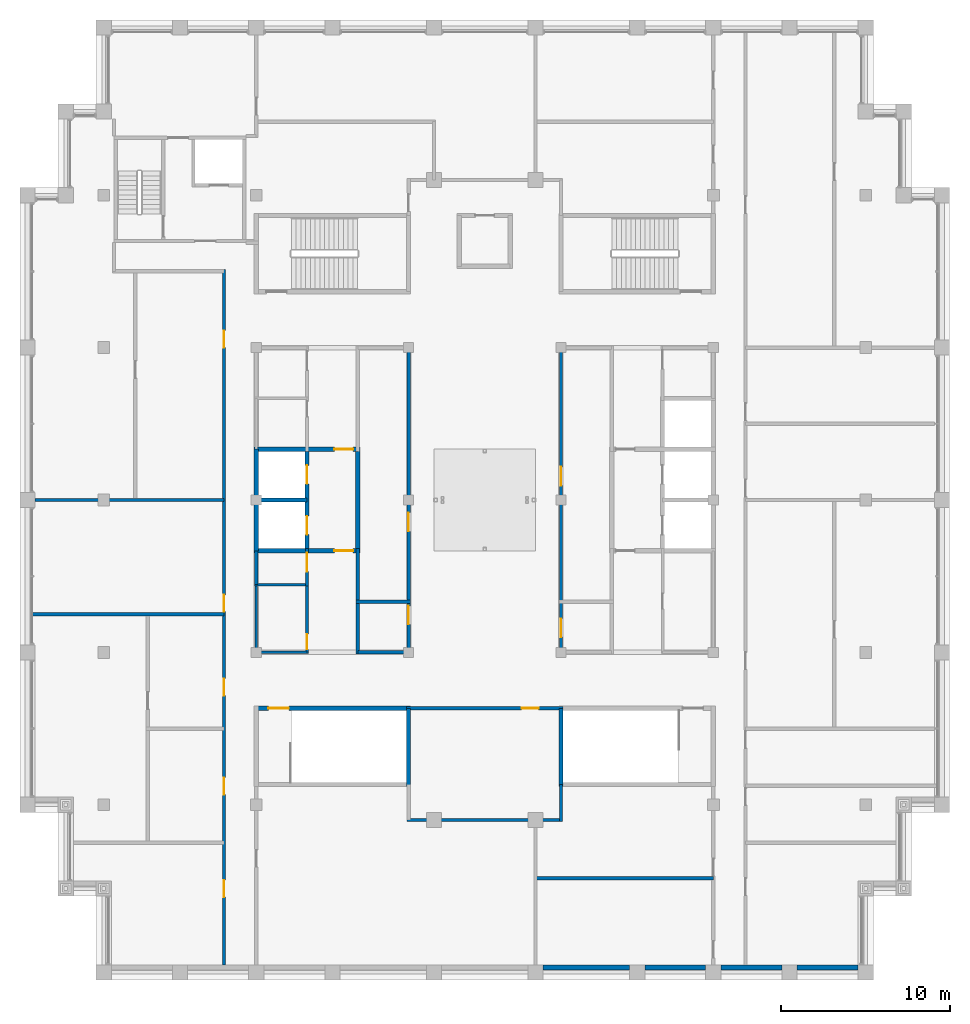
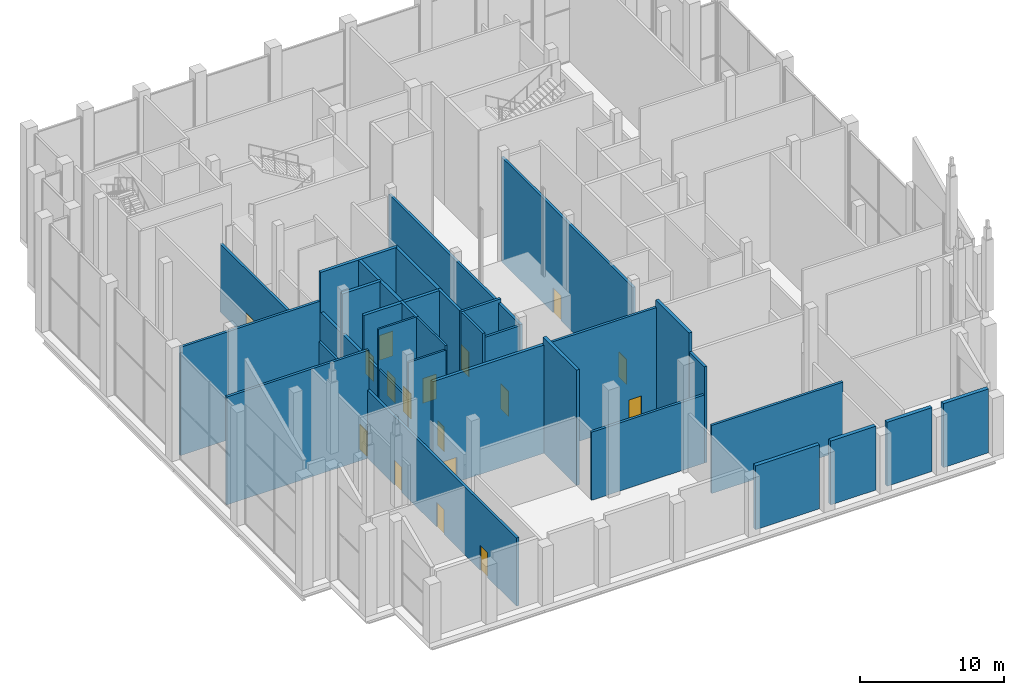
# One storey, part 12 of 16: 31 walls, 17 doors, 17 openings.
"""IFC4 building model written with IfcOpenShell, lengths in metres."""

from ifc_helpers import new_model, si_unit, direction, frame, frame_2d, origin, place, context, subcontext, project, spatial, rectangle, extrude, material, layer, layer_set, type_object, element, fill, save


model = new_model("IFC4")

# Units and contexts
model_context = context("Model", 3, precision=1e-05, world=origin(), true_north=direction((0.0, 1.0)))
body_context = subcontext(model_context, "Body", "Model", "MODEL_VIEW")
ifc_project = project(units=[si_unit("LENGTHUNIT", "METRE"), si_unit("AREAUNIT", "SQUARE_METRE"), si_unit("VOLUMEUNIT", "CUBIC_METRE"), si_unit("PLANEANGLEUNIT", "RADIAN"), si_unit("MASSUNIT", "GRAM", prefix="KILO")], contexts=[model_context])

# Site, building, storey
site_placement = place(None, origin())
site = spatial("IfcSite", under=ifc_project, at=site_placement, CompositionType="ELEMENT")
building_placement = place(site_placement, origin())
building = spatial("IfcBuilding", under=site, at=building_placement, Name="Corbelhall Arena Tower", CompositionType="ELEMENT")
storey_placement = place(building_placement, frame((0.0, 0.0, 366.0)))
storey = spatial("IfcBuildingStorey", under=building, at=storey_placement, Name="L80", CompositionType="ELEMENT", Elevation=366.0)

# Walls
ifc_material_1 = material(Name="Precast concrete C40/50 with granite facing", Category="masonry")
ifc_layer_1 = layer(ifc_material_1, 0.300048828125)
ifc_layer_set_1 = layer_set([ifc_layer_1], Name="EV-IW1 Infill panel 300")
wall_type_1 = type_object("IfcWallType", Name="EV-IW1 Infill panel 300", PredefinedType="SOLIDWALL", material=ifc_layer_set_1)
wall_1_placement = place(storey_placement, frame((3.449951171875, -27.60009765625, 0.0), z_axis=(0.0, 0.0, 1.0), x_axis=(1.0, 0.0, 0.0)))
element("IfcWall", 1, at=wall_1_placement, inside=storey, type_object=wall_type_1, Name="Infill panel IW1", PredefinedType="SOLIDWALL", context=body_context, shape_type="SweptSolid", body=[
    extrude(rectangle(XDim=5.10009765625, YDim=0.300048828125, at=frame_2d((2.550048828125, 0.0))), origin(), (0.0, 0.0, 1.0), 5.39990234375),
])
for number, where, z_axis, x_axis, name in (
    (2, (9.449951171875, -27.60009765625, 0.0), (0.0, 0.0, 1.0), (1.0, 0.0, 0.0), "Infill panel IW1"),
    (3, (13.949951171875, -27.60009765625, 0.0), (0.0, 0.0, 1.0), (1.0, 0.0, 0.0), "Infill panel IW1"),
    (4, (18.449951171875, -27.60009765625, 0.0), (0.0, 0.0, 1.0), (1.0, 0.0, 0.0), "Infill panel IW1"),
):
    element("IfcWall", number, at=place(storey_placement, frame(where, z_axis=z_axis, x_axis=x_axis)), inside=storey, type_object=wall_type_1, Name=name, PredefinedType="SOLIDWALL", context=body_context, shape_type="SweptSolid", body=[
        extrude(rectangle(XDim=3.60009765625, YDim=0.300048828125, at=frame_2d((1.800048828125, 0.0))), origin(), (0.0, 0.0, 1.0), 5.39990234375),
    ])
ifc_material_2 = material(Name="Gypsum board on steel stud, acoustic", Category="steel")
ifc_layer_2 = layer(ifc_material_2, 0.199951171875)
ifc_layer_set_2 = layer_set([ifc_layer_2], Name="IN-W-DM200")
wall_type_2 = type_object("IfcWallType", Name="IN-W-DM200", PredefinedType="PARTITIONING", material=ifc_layer_set_2)
wall_2_placement = place(storey_placement, frame((-26.736083984375, -6.75, 0.0), z_axis=(0.0, 0.0, 1.0), x_axis=(1.0, 0.0, 0.0)))
element("IfcWall", 5, at=wall_2_placement, inside=storey, type_object=wall_type_2, Name="Partition 001", PredefinedType="PARTITIONING", context=body_context, shape_type="SweptSolid", body=[
    extrude(rectangle(XDim=11.336181640625, YDim=0.199951171875, at=frame_2d((5.66796875, 0.0))), origin(), (0.0, 0.0, 1.0), 9.114501953125),
])
wall_3_placement = place(storey_placement, frame((-15.39990234375, 0.0, 0.0), z_axis=(0.0, 0.0, 1.0), x_axis=(-1.0, 0.0, 0.0)))
element("IfcWall", 6, at=wall_3_placement, inside=storey, type_object=wall_type_2, Name="Partition 006", PredefinedType="PARTITIONING", context=body_context, shape_type="SweptSolid", body=[
    extrude(rectangle(XDim=11.150146484375, YDim=0.199951171875, at=frame_2d((5.5751953125, 0.0))), origin(), (0.0, 0.0, 1.0), 9.149658203125),
])

# Wall, openings, doors
wall_4_placement = place(storey_placement, frame((-15.39990234375, -27.449951171875, 0.0), z_axis=(0.0, 0.0, 1.0), x_axis=(0.0, 1.0, 0.0)))
wall_4 = element("IfcWall", 7, at=wall_4_placement, inside=storey, type_object=wall_type_2, Name="Partition 010", PredefinedType="PARTITIONING", context=body_context, shape_type="SweptSolid", body=[
    extrude(rectangle(XDim=41.050048828125, YDim=0.199951171875, at=frame_2d((20.52490234375, 0.0))), origin(), (0.0, 0.0, 1.0), 5.759765625),
])
opening_1_placement = place(wall_4_placement, frame((36.449951171875, 0.0, 0.0)))
opening_1 = element("IfcOpeningElement", 8, at=opening_1_placement, cuts=wall_4, Name="Opening 34027", PredefinedType="OPENING", context=body_context, shape_type="SweptSolid", body=[
    extrude(rectangle(XDim=1.0, YDim=2.10009765625, at=frame_2d((0.5, 1.050048828125))), frame((0.0, 0.10009765625, 0.0), z_axis=(0.0, -1.0, 0.0), x_axis=(1.0, 0.0, 0.0)), (0.0, 0.0, 1.0), 0.199951171875),
])
opening_2_placement = place(wall_4_placement, frame((4.0, 0.0, 0.0)))
opening_2 = element("IfcOpeningElement", 9, at=opening_2_placement, cuts=wall_4, Name="Opening 34029", PredefinedType="OPENING", context=body_context, shape_type="SweptSolid", body=[
    extrude(rectangle(XDim=1.0, YDim=2.10009765625, at=frame_2d((0.5, 1.050048828125))), frame((0.0, 0.10009765625, 0.0), z_axis=(0.0, -1.0, 0.0), x_axis=(1.0, 0.0, 0.0)), (0.0, 0.0, 1.0), 0.199951171875),
])
opening_3_placement = place(wall_4_placement, frame((10.050048828125, 0.0, 0.0)))
opening_3 = element("IfcOpeningElement", 10, at=opening_3_placement, cuts=wall_4, Name="Opening 34030", PredefinedType="OPENING", context=body_context, shape_type="SweptSolid", body=[
    extrude(rectangle(XDim=1.0, YDim=2.10009765625, at=frame_2d((0.5, 1.050048828125))), frame((0.0, 0.10009765625, 0.0), z_axis=(0.0, -1.0, 0.0), x_axis=(1.0, 0.0, 0.0)), (0.0, 0.0, 1.0), 0.199951171875),
])
opening_4_placement = place(wall_4_placement, frame((15.89990234375, 0.0, 0.0)))
opening_4 = element("IfcOpeningElement", 11, at=opening_4_placement, cuts=wall_4, Name="Opening 34031", PredefinedType="OPENING", context=body_context, shape_type="SweptSolid", body=[
    extrude(rectangle(XDim=1.0, YDim=2.10009765625, at=frame_2d((0.5, 1.050048828125))), frame((0.0, 0.10009765625, 0.0), z_axis=(0.0, -1.0, 0.0), x_axis=(1.0, 0.0, 0.0)), (0.0, 0.0, 1.0), 0.199951171875),
])
opening_5_placement = place(wall_4_placement, frame((20.85009765625, 0.0, 0.0)))
opening_5 = element("IfcOpeningElement", 12, at=opening_5_placement, cuts=wall_4, Name="Opening 34033", PredefinedType="OPENING", context=body_context, shape_type="SweptSolid", body=[
    extrude(rectangle(XDim=1.0, YDim=2.10009765625, at=frame_2d((0.5, 1.050048828125))), frame((0.0, 0.10009765625, 0.0), z_axis=(0.0, -1.0, 0.0), x_axis=(1.0, 0.0, 0.0)), (0.0, 0.0, 1.0), 0.199951171875),
])
ifc_material_3 = material(Name="Steel door set", Category="steel")
door_type_1 = type_object("IfcDoorType", Name="IN-D-SW100", OperationType="NOTDEFINED", PredefinedType="DOOR", material=ifc_material_3)
door_1_placement = place(opening_1_placement, origin())
door_1 = element("IfcDoor", 13, at=door_1_placement, inside=storey, type_object=door_type_1, Name="Door 027", OperationType="SINGLE_SWING_RIGHT", OverallHeight=2.10009765625, OverallWidth=1.0, PredefinedType="DOOR", context=body_context, shape_type="SweptSolid", body=[
    extrude(rectangle(XDim=1.0, YDim=2.10009765625, at=frame_2d((0.5, 1.050048828125))), frame((0.0, 0.02490234375, 0.0), z_axis=(0.0, -1.0, 0.0), x_axis=(1.0, 0.0, 0.0)), (0.0, 0.0, 1.0), 0.050048828125),
])
fill(opening_1, door_1)
door_2_placement = place(opening_2_placement, origin())
door_2 = element("IfcDoor", 14, at=door_2_placement, inside=storey, type_object=door_type_1, Name="Door 029", OperationType="SINGLE_SWING_RIGHT", OverallHeight=2.10009765625, OverallWidth=1.0, PredefinedType="DOOR", context=body_context, shape_type="SweptSolid", body=[
    extrude(rectangle(XDim=1.0, YDim=2.10009765625, at=frame_2d((0.5, 1.050048828125))), frame((0.0, 0.02490234375, 0.0), z_axis=(0.0, -1.0, 0.0), x_axis=(1.0, 0.0, 0.0)), (0.0, 0.0, 1.0), 0.050048828125),
])
fill(opening_2, door_2)
door_3_placement = place(opening_3_placement, origin())
door_3 = element("IfcDoor", 15, at=door_3_placement, inside=storey, type_object=door_type_1, Name="Door 030", OperationType="SINGLE_SWING_LEFT", OverallHeight=2.10009765625, OverallWidth=1.0, PredefinedType="DOOR", context=body_context, shape_type="SweptSolid", body=[
    extrude(rectangle(XDim=1.0, YDim=2.10009765625, at=frame_2d((0.5, 1.050048828125))), frame((0.0, 0.02490234375, 0.0), z_axis=(0.0, -1.0, 0.0), x_axis=(1.0, 0.0, 0.0)), (0.0, 0.0, 1.0), 0.050048828125),
])
fill(opening_3, door_3)
door_4_placement = place(opening_4_placement, origin())
door_4 = element("IfcDoor", 16, at=door_4_placement, inside=storey, type_object=door_type_1, Name="Door 031", OperationType="SINGLE_SWING_RIGHT", OverallHeight=2.10009765625, OverallWidth=1.0, PredefinedType="DOOR", context=body_context, shape_type="SweptSolid", body=[
    extrude(rectangle(XDim=1.0, YDim=2.10009765625, at=frame_2d((0.5, 1.050048828125))), frame((0.0, 0.02490234375, 0.0), z_axis=(0.0, -1.0, 0.0), x_axis=(1.0, 0.0, 0.0)), (0.0, 0.0, 1.0), 0.050048828125),
])
fill(opening_4, door_4)
door_5_placement = place(opening_5_placement, origin())
door_5 = element("IfcDoor", 17, at=door_5_placement, inside=storey, type_object=door_type_1, Name="Door 033", OperationType="SINGLE_SWING_RIGHT", OverallHeight=2.10009765625, OverallWidth=1.0, PredefinedType="DOOR", context=body_context, shape_type="SweptSolid", body=[
    extrude(rectangle(XDim=1.0, YDim=2.10009765625, at=frame_2d((0.5, 1.050048828125))), frame((0.0, 0.02490234375, 0.0), z_axis=(0.0, -1.0, 0.0), x_axis=(1.0, 0.0, 0.0)), (0.0, 0.0, 1.0), 0.050048828125),
])
fill(opening_5, door_5)

# Walls
wall_5_placement = place(storey_placement, frame((4.5, -18.89990234375, 0.0), z_axis=(0.0, 0.0, 1.0), x_axis=(-1.0, 0.0, 0.0)))
element("IfcWall", 18, at=wall_5_placement, inside=storey, type_object=wall_type_2, Name="Partition 019", PredefinedType="PARTITIONING", context=body_context, shape_type="SweptSolid", body=[
    extrude(rectangle(XDim=9.10009765625, YDim=0.199951171875, at=frame_2d((4.550048828125, 0.0))), origin(), (0.0, 0.0, 1.0), 5.759765625),
])
wall_6_placement = place(storey_placement, frame((3.0, -22.35009765625, 0.0), z_axis=(0.0, 0.0, 1.0), x_axis=(1.0, 0.0, 0.0)))
element("IfcWall", 19, at=wall_6_placement, inside=storey, type_object=wall_type_2, Name="Partition 021", PredefinedType="PARTITIONING", context=body_context, shape_type="SweptSolid", body=[
    extrude(rectangle(XDim=10.5, YDim=0.199951171875, at=frame_2d((5.25, 0.0))), origin(), (0.0, 0.0, 1.0), 5.759765625),
])
wall_7_placement = place(storey_placement, frame((4.5, -16.800048828125, 0.0), z_axis=(0.0, 0.0, 1.0), x_axis=(0.0, -1.0, 0.0)))
element("IfcWall", 20, at=wall_7_placement, inside=storey, type_object=wall_type_2, Name="Partition 025", PredefinedType="PARTITIONING", context=body_context, shape_type="SweptSolid", body=[
    extrude(rectangle(XDim=2.199951171875, YDim=0.199951171875, at=frame_2d((1.10009765625, 0.0))), origin(), (0.0, 0.0, 1.0), 8.135986328125),
])

# Wall, opening, door
wall_8_placement = place(storey_placement, frame((4.625, -12.300048828125, 0.0), z_axis=(0.0, 0.0, 1.0), x_axis=(-1.0, 0.0, 0.0)))
wall_8 = element("IfcWall", 21, at=wall_8_placement, inside=storey, type_object=wall_type_2, Name="Partition 027", PredefinedType="PARTITIONING", context=body_context, shape_type="SweptSolid", body=[
    extrude(rectangle(XDim=9.25, YDim=0.199951171875, at=frame_2d((4.625, 0.0))), origin(), (0.0, 0.0, 1.0), 9.149658203125),
])
opening_6_placement = place(wall_8_placement, frame((1.449951171875, 0.0, 0.0)))
opening_6 = element("IfcOpeningElement", 22, at=opening_6_placement, cuts=wall_8, Name="Opening 34019", PredefinedType="OPENING", context=body_context, shape_type="SweptSolid", body=[
    extrude(rectangle(XDim=1.0, YDim=2.10009765625, at=frame_2d((0.5, 1.050048828125))), frame((0.0, 0.10009765625, 0.0), z_axis=(0.0, -1.0, 0.0), x_axis=(1.0, 0.0, 0.0)), (0.0, 0.0, 1.0), 0.199951171875),
])
door_6_placement = place(opening_6_placement, origin())
door_6 = element("IfcDoor", 23, at=door_6_placement, inside=storey, type_object=door_type_1, Name="Door 019", OperationType="SINGLE_SWING_RIGHT", OverallHeight=2.10009765625, OverallWidth=1.0, PredefinedType="DOOR", context=body_context, shape_type="SweptSolid", body=[
    extrude(rectangle(XDim=1.0, YDim=2.10009765625, at=frame_2d((0.5, 1.050048828125))), frame((0.0, 0.02490234375, 0.0), z_axis=(0.0, -1.0, 0.0), x_axis=(1.0, 0.0, 0.0)), (0.0, 0.0, 1.0), 0.050048828125),
])
fill(opening_6, door_6)

# Wall
ifc_material_4 = material(Name="Concrete block wall", Category="concrete")
ifc_layer_3 = layer(ifc_material_4, 0.199951171875)
ifc_layer_set_3 = layer_set([ifc_layer_3], Name="IN-W-RS200")
wall_type_3 = type_object("IfcWallType", Name="IN-W-RS200", PredefinedType="SOLIDWALL", material=ifc_layer_set_3)
wall_9_placement = place(storey_placement, frame((-13.5, -5.0, 0.0), z_axis=(0.0, 0.0, 1.0), x_axis=(0.0, 1.0, 0.0)))
element("IfcWall", 24, at=wall_9_placement, inside=storey, type_object=wall_type_3, Name="Partition 039", PredefinedType="SOLIDWALL", context=body_context, shape_type="SweptSolid", body=[
    extrude(rectangle(XDim=2.0, YDim=0.199951171875, at=frame_2d((1.0, 0.0))), origin(), (0.0, 0.0, 1.0), 5.759765625),
])

# Wall, opening, door
wall_10_placement = place(storey_placement, frame((-10.5, -5.074951171875, 0.0), z_axis=(0.0, 0.0, 1.0), x_axis=(0.0, 1.0, 0.0)))
wall_10 = element("IfcWall", 25, at=wall_10_placement, inside=storey, type_object=wall_type_3, Name="Partition 042", PredefinedType="SOLIDWALL", context=body_context, shape_type="SweptSolid", body=[
    extrude(rectangle(XDim=2.199951171875, YDim=0.199951171875, at=frame_2d((1.10009765625, 0.0))), origin(), (0.0, 0.0, 1.0), 9.149658203125),
])
opening_7_placement = place(wall_10_placement, frame((0.85009765625, 0.0, 0.0)))
opening_7 = element("IfcOpeningElement", 26, at=opening_7_placement, cuts=wall_10, Name="Opening 34006", PredefinedType="OPENING", context=body_context, shape_type="SweptSolid", body=[
    extrude(rectangle(XDim=1.10009765625, YDim=2.10009765625, at=frame_2d((0.550048828125, 1.050048828125))), frame((0.0, 0.10009765625, 0.0), z_axis=(0.0, -1.0, 0.0), x_axis=(1.0, 0.0, 0.0)), (0.0, 0.0, 1.0), 0.199951171875),
])
door_type_2 = type_object("IfcDoorType", Name="IN-D-FD110", OperationType="NOTDEFINED", PredefinedType="DOOR", material=ifc_material_3)
door_7_placement = place(opening_7_placement, origin())
door_7 = element("IfcDoor", 27, at=door_7_placement, inside=storey, type_object=door_type_2, Name="Door 006", OperationType="SINGLE_SWING_LEFT", OverallHeight=2.10009765625, OverallWidth=1.10009765625, PredefinedType="DOOR", context=body_context, shape_type="SweptSolid", body=[
    extrude(rectangle(XDim=1.10009765625, YDim=2.10009765625, at=frame_2d((0.550048828125, 1.050048828125))), frame((0.0, 0.02490234375, 0.0), z_axis=(0.0, -1.0, 0.0), x_axis=(1.0, 0.0, 0.0)), (0.0, 0.0, 1.0), 0.050048828125),
])
fill(opening_7, door_7)

# Walls
wall_11_placement = place(storey_placement, frame((-7.60009765625, -6.0, 0.0), z_axis=(0.0, 0.0, 1.0), x_axis=(1.0, 0.0, 0.0)))
element("IfcWall", 28, at=wall_11_placement, inside=storey, type_object=wall_type_3, Name="Partition 044", PredefinedType="SOLIDWALL", context=body_context, shape_type="SweptSolid", body=[
    extrude(rectangle(XDim=3.2001953125, YDim=0.199951171875, at=frame_2d((1.60009765625, 0.0))), origin(), (0.0, 0.0, 1.0), 9.149658203125),
])
wall_12_placement = place(storey_placement, frame((-7.5, -9.10009765625, 0.0), z_axis=(0.0, 0.0, 1.0), x_axis=(0.0, 1.0, 0.0)))
element("IfcWall", 29, at=wall_12_placement, inside=storey, type_object=wall_type_3, Name="Partition 045", PredefinedType="SOLIDWALL", context=body_context, shape_type="SweptSolid", body=[
    extrude(rectangle(XDim=6.22509765625, YDim=0.199951171875, at=frame_2d((3.112548828125, 0.0))), origin(), (0.0, 0.0, 1.0), 9.149658203125),
])

# Wall, openings, doors
ifc_layer_4 = layer(ifc_material_4, 0.199951171875)
ifc_layer_set_4 = layer_set([ifc_layer_4], Name="IN-W-RS200 under beam 312 mm")
wall_type_4 = type_object("IfcWallType", Name="IN-W-RS200 under beam 312 mm", PredefinedType="SOLIDWALL", material=ifc_layer_set_4)
wall_13_placement = place(storey_placement, frame((-4.5, 9.10009765625, 0.0), z_axis=(0.0, 0.0, 1.0), x_axis=(0.0, -1.0, 0.0)))
wall_13 = element("IfcWall", 30, at=wall_13_placement, inside=storey, type_object=wall_type_4, Name="Partition 049", PredefinedType="SOLIDWALL", context=body_context, shape_type="SweptSolid", body=[
    extrude(rectangle(XDim=18.2001953125, YDim=0.199951171875, at=frame_2d((9.10009765625, 0.0))), origin(), (0.0, 0.0, 1.0), 8.837646484375),
])
opening_8_placement = place(wall_13_placement, frame((15.35009765625, 0.0, 0.0)))
opening_8 = element("IfcOpeningElement", 31, at=opening_8_placement, cuts=wall_13, Name="Opening 34001", PredefinedType="OPENING", context=body_context, shape_type="SweptSolid", body=[
    extrude(rectangle(XDim=1.10009765625, YDim=2.10009765625, at=frame_2d((0.550048828125, 1.050048828125))), frame((0.0, 0.10009765625, 0.0), z_axis=(0.0, -1.0, 0.0), x_axis=(1.0, 0.0, 0.0)), (0.0, 0.0, 1.0), 0.199951171875),
])
opening_9_placement = place(wall_13_placement, frame((9.85009765625, 0.0, 0.0)))
opening_9 = element("IfcOpeningElement", 32, at=opening_9_placement, cuts=wall_13, Name="Opening 34002", PredefinedType="OPENING", context=body_context, shape_type="SweptSolid", body=[
    extrude(rectangle(XDim=1.10009765625, YDim=2.10009765625, at=frame_2d((0.550048828125, 1.050048828125))), frame((0.0, 0.10009765625, 0.0), z_axis=(0.0, -1.0, 0.0), x_axis=(1.0, 0.0, 0.0)), (0.0, 0.0, 1.0), 0.199951171875),
])
door_8_placement = place(opening_8_placement, origin())
door_8 = element("IfcDoor", 33, at=door_8_placement, inside=storey, type_object=door_type_2, Name="Door 001", OperationType="SINGLE_SWING_RIGHT", OverallHeight=2.10009765625, OverallWidth=1.10009765625, PredefinedType="DOOR", context=body_context, shape_type="SweptSolid", body=[
    extrude(rectangle(XDim=1.10009765625, YDim=2.10009765625, at=frame_2d((0.550048828125, 1.050048828125))), frame((0.0, 0.02490234375, 0.0), z_axis=(0.0, -1.0, 0.0), x_axis=(1.0, 0.0, 0.0)), (0.0, 0.0, 1.0), 0.050048828125),
])
fill(opening_8, door_8)
door_9_placement = place(opening_9_placement, origin())
door_9 = element("IfcDoor", 34, at=door_9_placement, inside=storey, type_object=door_type_2, Name="Door 002", OperationType="SINGLE_SWING_LEFT", OverallHeight=2.10009765625, OverallWidth=1.10009765625, PredefinedType="DOOR", context=body_context, shape_type="SweptSolid", body=[
    extrude(rectangle(XDim=1.10009765625, YDim=2.10009765625, at=frame_2d((0.550048828125, 1.050048828125))), frame((0.0, 0.02490234375, 0.0), z_axis=(0.0, -1.0, 0.0), x_axis=(1.0, 0.0, 0.0)), (0.0, 0.0, 1.0), 0.050048828125),
])
fill(opening_9, door_9)

wall_14_placement = place(storey_placement, frame((4.5, -9.10009765625, 0.0), z_axis=(0.0, 0.0, 1.0), x_axis=(0.0, 1.0, 0.0)))
wall_14 = element("IfcWall", 35, at=wall_14_placement, inside=storey, type_object=wall_type_4, Name="Partition 051", PredefinedType="SOLIDWALL", context=body_context, shape_type="SweptSolid", body=[
    extrude(rectangle(XDim=18.2001953125, YDim=0.199951171875, at=frame_2d((9.10009765625, 0.0))), origin(), (0.0, 0.0, 1.0), 8.837646484375),
])
opening_10_placement = place(wall_14_placement, frame((1.0, 0.0, 0.0)))
opening_10 = element("IfcOpeningElement", 36, at=opening_10_placement, cuts=wall_14, Name="Opening 34009", PredefinedType="OPENING", context=body_context, shape_type="SweptSolid", body=[
    extrude(rectangle(XDim=1.10009765625, YDim=2.10009765625, at=frame_2d((0.550048828125, 1.050048828125))), frame((0.0, 0.10009765625, 0.0), z_axis=(0.0, -1.0, 0.0), x_axis=(1.0, 0.0, 0.0)), (0.0, 0.0, 1.0), 0.199951171875),
])
opening_11_placement = place(wall_14_placement, frame((9.949951171875, 0.0, 0.0)))
opening_11 = element("IfcOpeningElement", 37, at=opening_11_placement, cuts=wall_14, Name="Opening 34010", PredefinedType="OPENING", context=body_context, shape_type="SweptSolid", body=[
    extrude(rectangle(XDim=1.10009765625, YDim=2.10009765625, at=frame_2d((0.550048828125, 1.050048828125))), frame((0.0, 0.10009765625, 0.0), z_axis=(0.0, -1.0, 0.0), x_axis=(1.0, 0.0, 0.0)), (0.0, 0.0, 1.0), 0.199951171875),
])
door_10_placement = place(opening_10_placement, origin())
door_10 = element("IfcDoor", 38, at=door_10_placement, inside=storey, type_object=door_type_2, Name="Door 009", OperationType="SINGLE_SWING_RIGHT", OverallHeight=2.10009765625, OverallWidth=1.10009765625, PredefinedType="DOOR", context=body_context, shape_type="SweptSolid", body=[
    extrude(rectangle(XDim=1.10009765625, YDim=2.10009765625, at=frame_2d((0.550048828125, 1.050048828125))), frame((0.0, 0.02490234375, 0.0), z_axis=(0.0, -1.0, 0.0), x_axis=(1.0, 0.0, 0.0)), (0.0, 0.0, 1.0), 0.050048828125),
])
fill(opening_10, door_10)
door_11_placement = place(opening_11_placement, origin())
door_11 = element("IfcDoor", 39, at=door_11_placement, inside=storey, type_object=door_type_2, Name="Door 010", OperationType="SINGLE_SWING_LEFT", OverallHeight=2.10009765625, OverallWidth=1.10009765625, PredefinedType="DOOR", context=body_context, shape_type="SweptSolid", body=[
    extrude(rectangle(XDim=1.10009765625, YDim=2.10009765625, at=frame_2d((0.550048828125, 1.050048828125))), frame((0.0, 0.02490234375, 0.0), z_axis=(0.0, -1.0, 0.0), x_axis=(1.0, 0.0, 0.0)), (0.0, 0.0, 1.0), 0.050048828125),
])
fill(opening_11, door_11)

# Walls
ifc_layer_5 = layer(ifc_material_4, 0.199951171875)
ifc_layer_set_5 = layer_set([ifc_layer_5], Name="IN-W-RS200 under beam 396 mm")
wall_type_5 = type_object("IfcWallType", Name="IN-W-RS200 under beam 396 mm", PredefinedType="SOLIDWALL", material=ifc_layer_set_5)
wall_15_placement = place(storey_placement, frame((-4.5, -9.0, 0.0), z_axis=(0.0, 0.0, 1.0), x_axis=(-1.0, 0.0, 0.0)))
element("IfcWall", 40, at=wall_15_placement, inside=storey, type_object=wall_type_5, Name="Partition 048", PredefinedType="SOLIDWALL", context=body_context, shape_type="SweptSolid", body=[
    extrude(rectangle(XDim=3.0, YDim=0.199951171875, at=frame_2d((1.5, 0.0))), origin(), (0.0, 0.0, 1.0), 8.75390625),
])
ifc_material_5 = material(Name="Concrete C40/50", Category="concrete")
ifc_layer_6 = layer(ifc_material_5, 0.25)
ifc_layer_set_6 = layer_set([ifc_layer_6], Name="IN-W-SH250")
wall_type_6 = type_object("IfcWallType", Name="IN-W-SH250", PredefinedType="SOLIDWALL", material=ifc_layer_set_6)
wall_16_placement = place(storey_placement, frame((-13.625, 0.0, 0.0), z_axis=(0.0, 0.0, 1.0), x_axis=(1.0, 0.0, 0.0)))
element("IfcWall", 41, at=wall_16_placement, inside=storey, type_object=wall_type_6, Name="Shaft wall 059", PredefinedType="SOLIDWALL", context=body_context, shape_type="SweptSolid", body=[
    extrude(rectangle(XDim=3.125, YDim=0.25, at=frame_2d((1.5625, 0.0))), origin(), (0.0, 0.0, 1.0), 9.149658203125),
])

# Wall, opening, door
wall_17_placement = place(storey_placement, frame((-13.625, 3.0, 0.0), z_axis=(0.0, 0.0, 1.0), x_axis=(1.0, 0.0, 0.0)))
wall_17 = element("IfcWall", 42, at=wall_17_placement, inside=storey, type_object=wall_type_6, Name="Shaft wall 060", PredefinedType="SOLIDWALL", context=body_context, shape_type="SweptSolid", body=[
    extrude(rectangle(XDim=6.125, YDim=0.25, at=frame_2d((3.0625, 0.0))), origin(), (0.0, 0.0, 1.0), 9.149658203125),
])
opening_12_placement = place(wall_17_placement, frame((4.75, 0.0, 0.0)))
opening_12 = element("IfcOpeningElement", 43, at=opening_12_placement, cuts=wall_17, Name="Opening 34004", PredefinedType="OPENING", context=body_context, shape_type="SweptSolid", body=[
    extrude(rectangle(XDim=1.10009765625, YDim=2.10009765625, at=frame_2d((0.550048828125, 1.050048828125))), frame((0.0, 0.125, 0.0), z_axis=(0.0, -1.0, 0.0), x_axis=(1.0, 0.0, 0.0)), (0.0, 0.0, 1.0), 0.25),
])
door_12_placement = place(opening_12_placement, origin())
door_12 = element("IfcDoor", 44, at=door_12_placement, inside=storey, type_object=door_type_2, Name="Door 004", OperationType="SINGLE_SWING_LEFT", OverallHeight=2.10009765625, OverallWidth=1.10009765625, PredefinedType="DOOR", context=body_context, shape_type="SweptSolid", body=[
    extrude(rectangle(XDim=1.10009765625, YDim=2.10009765625, at=frame_2d((0.550048828125, 1.050048828125))), frame((0.0, 0.02490234375, 0.0), z_axis=(0.0, -1.0, 0.0), x_axis=(1.0, 0.0, 0.0)), (0.0, 0.0, 1.0), 0.050048828125),
])
fill(opening_12, door_12)

# Wall
wall_18_placement = place(storey_placement, frame((-13.5, -3.0, 0.0), z_axis=(0.0, 0.0, 1.0), x_axis=(0.0, 1.0, 0.0)))
element("IfcWall", 45, at=wall_18_placement, inside=storey, type_object=wall_type_6, Name="Shaft wall 061", PredefinedType="SOLIDWALL", context=body_context, shape_type="SweptSolid", body=[
    extrude(rectangle(XDim=6.0, YDim=0.25, at=frame_2d((3.0, 0.0))), origin(), (0.0, 0.0, 1.0), 5.759765625),
])

# Wall, opening, door
wall_19_placement = place(storey_placement, frame((-13.625, -3.0, 0.0), z_axis=(0.0, 0.0, 1.0), x_axis=(1.0, 0.0, 0.0)))
wall_19 = element("IfcWall", 46, at=wall_19_placement, inside=storey, type_object=wall_type_6, Name="Shaft wall 062", PredefinedType="SOLIDWALL", context=body_context, shape_type="SweptSolid", body=[
    extrude(rectangle(XDim=6.125, YDim=0.25, at=frame_2d((3.0625, 0.0))), origin(), (0.0, 0.0, 1.0), 9.149658203125),
])
opening_13_placement = place(wall_19_placement, frame((4.75, 0.0, 0.0)))
opening_13 = element("IfcOpeningElement", 47, at=opening_13_placement, cuts=wall_19, Name="Opening 34003", PredefinedType="OPENING", context=body_context, shape_type="SweptSolid", body=[
    extrude(rectangle(XDim=1.10009765625, YDim=2.10009765625, at=frame_2d((0.550048828125, 1.050048828125))), frame((0.0, 0.125, 0.0), z_axis=(0.0, -1.0, 0.0), x_axis=(1.0, 0.0, 0.0)), (0.0, 0.0, 1.0), 0.25),
])
door_13_placement = place(opening_13_placement, origin())
door_13 = element("IfcDoor", 48, at=door_13_placement, inside=storey, type_object=door_type_2, Name="Door 003", OperationType="SINGLE_SWING_RIGHT", OverallHeight=2.10009765625, OverallWidth=1.10009765625, PredefinedType="DOOR", context=body_context, shape_type="SweptSolid", body=[
    extrude(rectangle(XDim=1.10009765625, YDim=2.10009765625, at=frame_2d((0.550048828125, 1.050048828125))), frame((0.0, 0.02490234375, 0.0), z_axis=(0.0, -1.0, 0.0), x_axis=(1.0, 0.0, 0.0)), (0.0, 0.0, 1.0), 0.050048828125),
])
fill(opening_13, door_13)

# Wall, openings, doors
wall_20_placement = place(storey_placement, frame((-10.5, -3.125, 0.0), z_axis=(0.0, 0.0, 1.0), x_axis=(0.0, 1.0, 0.0)))
wall_20 = element("IfcWall", 49, at=wall_20_placement, inside=storey, type_object=wall_type_6, Name="Shaft wall 063", PredefinedType="SOLIDWALL", context=body_context, shape_type="SweptSolid", body=[
    extrude(rectangle(XDim=6.25, YDim=0.25, at=frame_2d((3.125, 0.0))), origin(), (0.0, 0.0, 1.0), 9.149658203125),
])
opening_14_placement = place(wall_20_placement, frame((1.074951171875, 0.0, 0.0)))
opening_14 = element("IfcOpeningElement", 50, at=opening_14_placement, cuts=wall_20, Name="Opening LD", PredefinedType="OPENING", context=body_context, shape_type="SweptSolid", body=[
    extrude(rectangle(XDim=1.10009765625, YDim=2.10009765625, at=frame_2d((0.550048828125, 1.050048828125))), frame((0.0, 0.125, 0.0), z_axis=(0.0, -1.0, 0.0), x_axis=(1.0, 0.0, 0.0)), (0.0, 0.0, 1.0), 0.25),
])
opening_15_placement = place(wall_20_placement, frame((4.074951171875, 0.0, 0.0)))
opening_15 = element("IfcOpeningElement", 51, at=opening_15_placement, cuts=wall_20, Name="Opening LD", PredefinedType="OPENING", context=body_context, shape_type="SweptSolid", body=[
    extrude(rectangle(XDim=1.10009765625, YDim=2.10009765625, at=frame_2d((0.550048828125, 1.050048828125))), frame((0.0, 0.125, 0.0), z_axis=(0.0, -1.0, 0.0), x_axis=(1.0, 0.0, 0.0)), (0.0, 0.0, 1.0), 0.25),
])
door_type_3 = type_object("IfcDoorType", Name="IN-D-LD110", OperationType="NOTDEFINED", PredefinedType="DOOR", material=ifc_material_3)
door_14_placement = place(opening_14_placement, origin())
door_14 = element("IfcDoor", 52, at=door_14_placement, inside=storey, type_object=door_type_3, Name="Landing door W3", OperationType="SLIDING_TO_LEFT", OverallHeight=2.10009765625, OverallWidth=1.10009765625, PredefinedType="DOOR", context=body_context, shape_type="SweptSolid", body=[
    extrude(rectangle(XDim=1.10009765625, YDim=2.10009765625, at=frame_2d((0.550048828125, 1.050048828125))), frame((0.0, 0.02490234375, 0.0), z_axis=(0.0, -1.0, 0.0), x_axis=(1.0, 0.0, 0.0)), (0.0, 0.0, 1.0), 0.050048828125),
])
fill(opening_14, door_14)
door_15_placement = place(opening_15_placement, origin())
door_15 = element("IfcDoor", 53, at=door_15_placement, inside=storey, type_object=door_type_3, Name="Landing door W4", OperationType="SLIDING_TO_LEFT", OverallHeight=2.10009765625, OverallWidth=1.10009765625, PredefinedType="DOOR", context=body_context, shape_type="SweptSolid", body=[
    extrude(rectangle(XDim=1.10009765625, YDim=2.10009765625, at=frame_2d((0.550048828125, 1.050048828125))), frame((0.0, 0.02490234375, 0.0), z_axis=(0.0, -1.0, 0.0), x_axis=(1.0, 0.0, 0.0)), (0.0, 0.0, 1.0), 0.050048828125),
])
fill(opening_15, door_15)

# Walls
wall_21_placement = place(storey_placement, frame((-7.5, -3.125, 0.0), z_axis=(0.0, 0.0, 1.0), x_axis=(0.0, 1.0, 0.0)))
element("IfcWall", 54, at=wall_21_placement, inside=storey, type_object=wall_type_6, Name="Shaft wall 064", PredefinedType="SOLIDWALL", context=body_context, shape_type="SweptSolid", body=[
    extrude(rectangle(XDim=6.25, YDim=0.25, at=frame_2d((3.125, 0.0))), origin(), (0.0, 0.0, 1.0), 9.149658203125),
])
ifc_layer_7 = layer(ifc_material_5, 0.25)
ifc_layer_set_7 = layer_set([ifc_layer_7], Name="IN-W-ST250")
wall_type_7 = type_object("IfcWallType", Name="IN-W-ST250", PredefinedType="SOLIDWALL", material=ifc_layer_set_7)
wall_22_placement = place(storey_placement, frame((-4.5, -12.300048828125, 0.0), z_axis=(0.0, 0.0, 1.0), x_axis=(0.0, -1.0, 0.0)))
element("IfcWall", 55, at=wall_22_placement, inside=storey, type_object=wall_type_7, Name="Shaft wall 080", PredefinedType="SOLIDWALL", context=body_context, shape_type="SweptSolid", body=[
    extrude(rectangle(XDim=4.625, YDim=0.25, at=frame_2d((2.3125, 0.0))), origin(), (0.0, 0.0, 1.0), 9.74365234375),
])

# Wall, opening, door
wall_23_placement = place(storey_placement, frame((-4.375, -12.300048828125, 0.0), z_axis=(0.0, 0.0, 1.0), x_axis=(-1.0, 0.0, 0.0)))
wall_23 = element("IfcWall", 56, at=wall_23_placement, inside=storey, type_object=wall_type_7, Name="Shaft wall 083", PredefinedType="SOLIDWALL", context=body_context, shape_type="SweptSolid", body=[
    extrude(rectangle(XDim=9.125, YDim=0.25, at=frame_2d((4.5625, 0.0))), origin(), (0.0, 0.0, 1.0), 9.149658203125),
])
opening_16_placement = place(wall_23_placement, frame((7.199951171875, 0.0, 0.0)))
opening_16 = element("IfcOpeningElement", 57, at=opening_16_placement, cuts=wall_23, Name="Opening 34016", PredefinedType="OPENING", context=body_context, shape_type="SweptSolid", body=[
    extrude(rectangle(XDim=1.199951171875, YDim=2.10009765625, at=frame_2d((0.60009765625, 1.050048828125))), frame((0.0, 0.125, 0.0), z_axis=(0.0, -1.0, 0.0), x_axis=(1.0, 0.0, 0.0)), (0.0, 0.0, 1.0), 0.25),
])
door_type_4 = type_object("IfcDoorType", Name="IN-D-ST120", OperationType="NOTDEFINED", PredefinedType="DOOR", material=ifc_material_3)
door_16_placement = place(opening_16_placement, origin())
door_16 = element("IfcDoor", 58, at=door_16_placement, inside=storey, type_object=door_type_4, Name="Door 016", OperationType="SINGLE_SWING_LEFT", OverallHeight=2.10009765625, OverallWidth=1.199951171875, PredefinedType="DOOR", context=body_context, shape_type="SweptSolid", body=[
    extrude(rectangle(XDim=1.199951171875, YDim=2.10009765625, at=frame_2d((0.60009765625, 1.050048828125))), frame((0.0, 0.02490234375, 0.0), z_axis=(0.0, -1.0, 0.0), x_axis=(1.0, 0.0, 0.0)), (0.0, 0.0, 1.0), 0.050048828125),
])
fill(opening_16, door_16)

# Walls
wall_24_placement = place(storey_placement, frame((4.5, -16.925048828125, 0.0), z_axis=(0.0, 0.0, 1.0), x_axis=(0.0, 1.0, 0.0)))
element("IfcWall", 59, at=wall_24_placement, inside=storey, type_object=wall_type_7, Name="Shaft wall 086", PredefinedType="SOLIDWALL", context=body_context, shape_type="SweptSolid", body=[
    extrude(rectangle(XDim=4.625, YDim=0.25, at=frame_2d((2.3125, 0.0))), origin(), (0.0, 0.0, 1.0), 9.74365234375),
])
ifc_material_6 = material(Name="Gypsum board on steel stud, moisture resistant", Category="steel")
ifc_layer_8 = layer(ifc_material_6, 0.14990234375)
ifc_layer_set_8 = layer_set([ifc_layer_8], Name="IN-W-WC150")
wall_type_8 = type_object("IfcWallType", Name="IN-W-WC150", PredefinedType="PARTITIONING", material=ifc_layer_set_8)
wall_25_placement = place(storey_placement, frame((-13.60009765625, -5.0, 0.0), z_axis=(0.0, 0.0, 1.0), x_axis=(1.0, 0.0, 0.0)))
element("IfcWall", 60, at=wall_25_placement, inside=storey, type_object=wall_type_8, Name="Partition 092", PredefinedType="PARTITIONING", context=body_context, shape_type="SweptSolid", body=[
    extrude(rectangle(XDim=3.10009765625, YDim=0.14990234375, at=frame_2d((1.550048828125, 0.0))), origin(), (0.0, 0.0, 1.0), 9.149658203125),
])
wall_26_placement = place(storey_placement, frame((-13.5, -9.074951171875, 0.0), z_axis=(0.0, 0.0, 1.0), x_axis=(0.0, 1.0, 0.0)))
element("IfcWall", 61, at=wall_26_placement, inside=storey, type_object=wall_type_8, Name="Partition 094", PredefinedType="PARTITIONING", context=body_context, shape_type="SweptSolid", body=[
    extrude(rectangle(XDim=4.074951171875, YDim=0.14990234375, at=frame_2d((2.03759765625, 0.0))), origin(), (0.0, 0.0, 1.0), 5.759765625),
])

# Wall, opening, door
wall_27_placement = place(storey_placement, frame((-10.5, -9.074951171875, 0.0), z_axis=(0.0, 0.0, 1.0), x_axis=(0.0, 1.0, 0.0)))
wall_27 = element("IfcWall", 62, at=wall_27_placement, inside=storey, type_object=wall_type_8, Name="Partition 096", PredefinedType="PARTITIONING", context=body_context, shape_type="SweptSolid", body=[
    extrude(rectangle(XDim=4.14990234375, YDim=0.14990234375, at=frame_2d((2.074951171875, 0.0))), origin(), (0.0, 0.0, 1.0), 9.149658203125),
])
opening_17_placement = place(wall_27_placement, frame((0.25, 0.0, 0.0)))
opening_17 = element("IfcOpeningElement", 63, at=opening_17_placement, cuts=wall_27, Name="Opening 34005", PredefinedType="OPENING", context=body_context, shape_type="SweptSolid", body=[
    extrude(rectangle(XDim=0.89990234375, YDim=2.10009765625, at=frame_2d((0.449951171875, 1.050048828125))), frame((0.0, 0.074951171875, 0.0), z_axis=(0.0, -1.0, 0.0), x_axis=(1.0, 0.0, 0.0)), (0.0, 0.0, 1.0), 0.14990234375),
])
ifc_material_7 = material(Name="Timber door set", Category="wood")
door_type_5 = type_object("IfcDoorType", Name="IN-D-SW90", OperationType="NOTDEFINED", PredefinedType="DOOR", material=ifc_material_7)
door_17_placement = place(opening_17_placement, origin())
door_17 = element("IfcDoor", 64, at=door_17_placement, inside=storey, type_object=door_type_5, Name="Door 005", OperationType="SINGLE_SWING_RIGHT", OverallHeight=2.10009765625, OverallWidth=0.89990234375, PredefinedType="DOOR", context=body_context, shape_type="SweptSolid", body=[
    extrude(rectangle(XDim=0.89990234375, YDim=2.10009765625, at=frame_2d((0.449951171875, 1.050048828125))), frame((0.0, 0.02490234375, 0.0), z_axis=(0.0, -1.0, 0.0), x_axis=(1.0, 0.0, 0.0)), (0.0, 0.0, 1.0), 0.050048828125),
])
fill(opening_17, door_17)

# Wall
ifc_layer_9 = layer(ifc_material_6, 0.14990234375)
ifc_layer_set_9 = layer_set([ifc_layer_9], Name="IN-W-WC150 under beam 396 mm")
wall_type_9 = type_object("IfcWallType", Name="IN-W-WC150 under beam 396 mm", PredefinedType="PARTITIONING", material=ifc_layer_set_9)
wall_28_placement = place(storey_placement, frame((-10.5, -9.0, 0.0), z_axis=(0.0, 0.0, 1.0), x_axis=(-1.0, 0.0, 0.0)))
element("IfcWall", 65, at=wall_28_placement, inside=storey, type_object=wall_type_9, Name="Partition 097", PredefinedType="PARTITIONING", context=body_context, shape_type="SweptSolid", body=[
    extrude(rectangle(XDim=3.0, YDim=0.14990234375, at=frame_2d((1.5, 0.0))), origin(), (0.0, 0.0, 1.0), 8.75390625),
])

save(model, "model.ifc")
